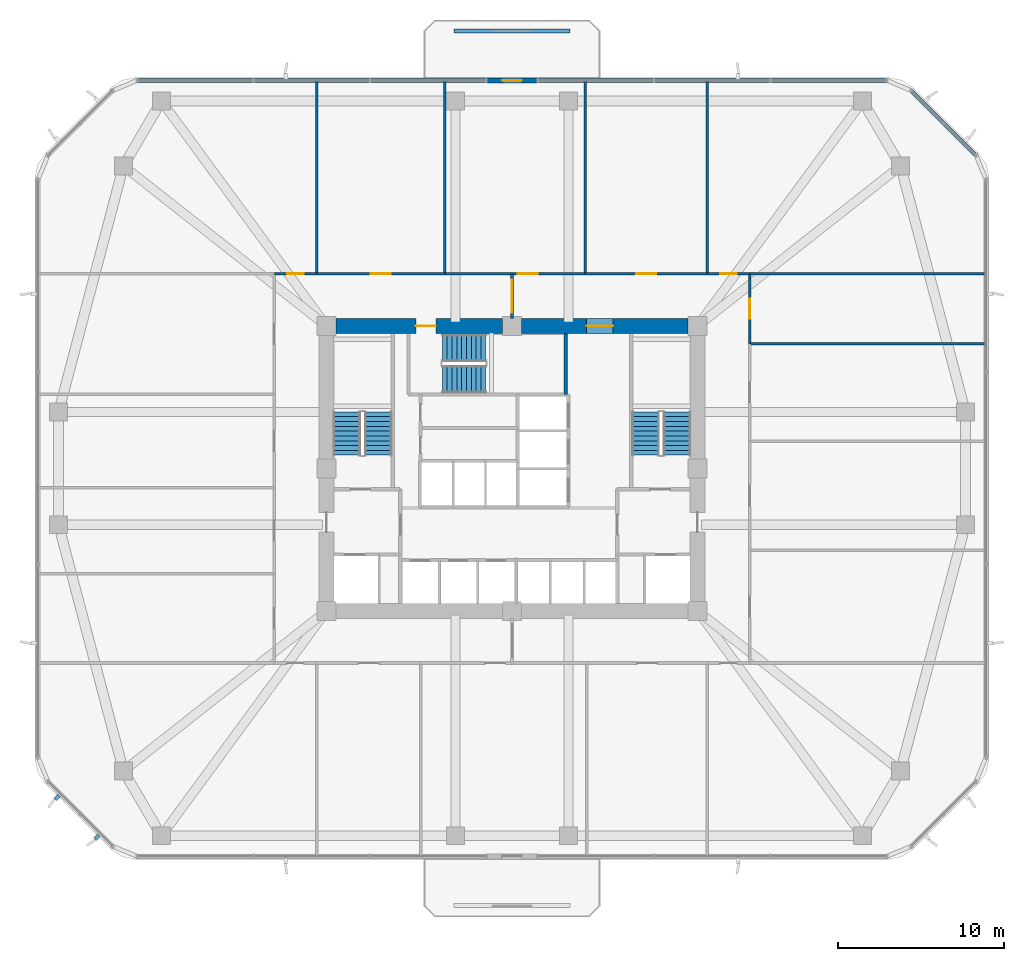
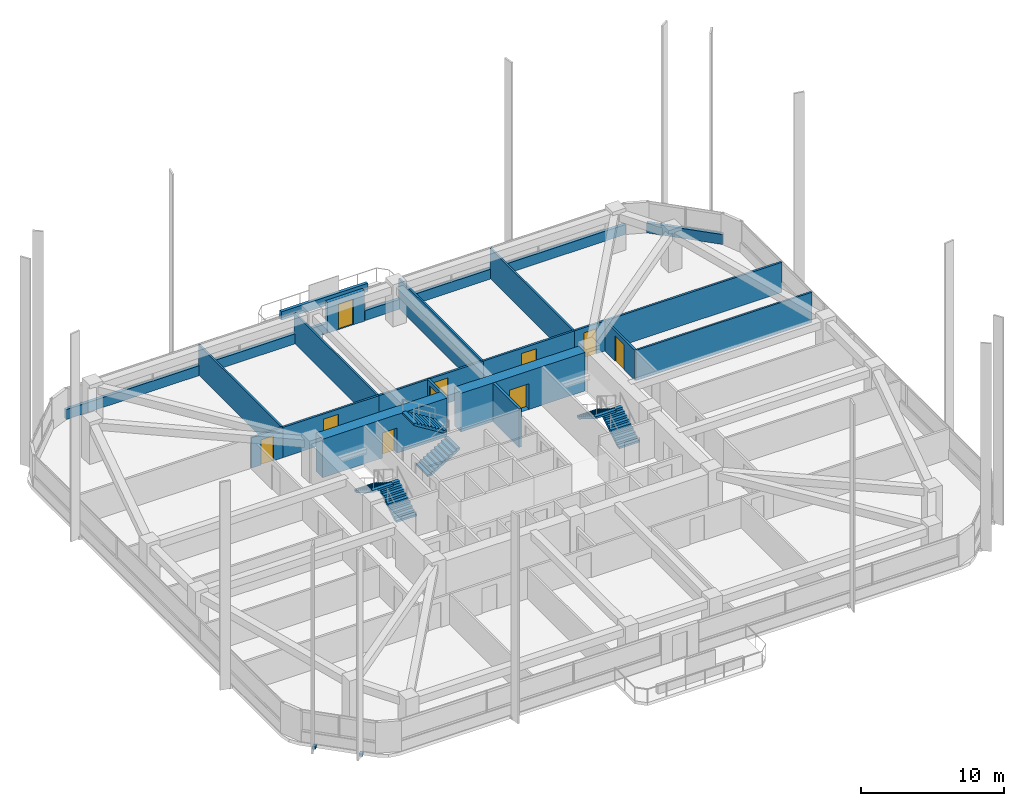
# One storey, part 11 of 17: 21 walls, 10 doors, 6 stair flights, 2 discrete accessories, 10 openings, 3 elements without a shape of their own.
"""IFC4 building model written with IfcOpenShell, lengths in metres."""

from ifc_helpers import new_model, si_unit, derived_unit, direction, frame, frame_2d, origin, origin_2d, place, context, subcontext, project, spatial, polyline, rectangle, outline, extrude, material, layer, layer_set, type_object, element, fill, aggregate, save


model = new_model("IFC4")

# Units and contexts
model_context = context("Model", 3, precision=1e-05, world=origin(), true_north=direction((0.0, 1.0)))
body_context = subcontext(model_context, "Body", "Model", "MODEL_VIEW")
ifc_project = project(units=[si_unit("LENGTHUNIT", "METRE"), si_unit("AREAUNIT", "SQUARE_METRE"), si_unit("VOLUMEUNIT", "CUBIC_METRE"), si_unit("PLANEANGLEUNIT", "RADIAN"), si_unit("MASSUNIT", "GRAM", prefix="KILO"), derived_unit("THERMALTRANSMITTANCEUNIT", [(si_unit("POWERUNIT", "WATT"), 1), (si_unit("LENGTHUNIT", "METRE"), -2), (si_unit("THERMODYNAMICTEMPERATUREUNIT", "KELVIN"), -1)])], contexts=[model_context])

# Site, building, storey
site_placement = place(None, origin())
site = spatial("IfcSite", under=ifc_project, at=site_placement, CompositionType="ELEMENT")
building_placement = place(site_placement, origin())
building = spatial("IfcBuilding", under=site, at=building_placement, Name="Koralith Skygarden Medical Center", CompositionType="ELEMENT")
storey_placement = place(building_placement, frame((0.0, 0.0, 67.139892578125)))
storey = spatial("IfcBuildingStorey", under=building, at=storey_placement, Name="L17", CompositionType="ELEMENT", Elevation=67.139892578125)

# Walls
ifc_material_1 = material(Name="Gypsum Board Partition")
ifc_layer_1 = layer(ifc_material_1, 0.14990234375)
ifc_layer_set_1 = layer_set([ifc_layer_1], Name="Gypsum Board Partition")
wall_type_1 = type_object("IfcWallType", Name="Clinical Acoustic Partition 150", PredefinedType="PARTITIONING", material=ifc_layer_set_1)
for number, where, z_axis, x_axis, name in (
    (1, (25.199951171875, 37.64990234375, 0.0), (0.0, 0.0, 1.0), (0.0, 1.0, 0.0), "L17 Clinical Acoustic Partition 150 W-PART-L17-N-01"),
    (2, (32.950927734375, 37.64990234375, 0.0), (0.0, 0.0, 1.0), (0.0, 1.0, 0.0), "L17 Clinical Acoustic Partition 150 W-PART-L17-N-02"),
    (3, (41.4130859375, 37.64990234375, 0.0), (0.0, 0.0, 1.0), (0.0, 1.0, 0.0), "L17 Clinical Acoustic Partition 150 W-PART-L17-N-03"),
    (4, (48.800048828125, 37.64990234375, 0.0), (0.0, 0.0, 1.0), (0.0, 1.0, 0.0), "L17 Clinical Acoustic Partition 150 W-PART-L17-N-04"),
):
    element("IfcWall", number, at=place(storey_placement, frame(where, z_axis=z_axis, x_axis=x_axis)), inside=storey, type_object=wall_type_1, Name=name, PredefinedType="PARTITIONING", context=body_context, shape_type="SweptSolid", body=[
        extrude(rectangle(XDim=11.650146484375, YDim=0.14990234375, at=frame_2d((5.8251953125, 0.0))), origin(), (0.0, 0.0, 1.0), 2.590087890625),
    ])
wall_1_placement = place(storey_placement, frame((51.35009765625, 33.419921875, 0.0), z_axis=(0.0, 0.0, 1.0), x_axis=(1.0, 0.0, 0.0)))
element("IfcWall", 5, at=wall_1_placement, inside=storey, type_object=wall_type_1, Name="L17 Clinical Acoustic Partition 150 W-PART-L17-E-03", PredefinedType="PARTITIONING", context=body_context, shape_type="SweptSolid", body=[
    extrude(rectangle(XDim=14.25, YDim=0.14990234375, at=frame_2d((7.125, 0.0))), origin(), (0.0, 0.0, 1.0), 2.590087890625),
])
ifc_layer_2 = layer(ifc_material_1, 0.1650390625)
ifc_layer_set_2 = layer_set([ifc_layer_2], Name="Gypsum Board Partition")
wall_type_2 = type_object("IfcWallType", Name="Clinical Corridor Partition 165", PredefinedType="PARTITIONING", material=ifc_layer_set_2)
wall_2_placement = place(storey_placement, frame((51.35009765625, 37.64990234375, 0.0), z_axis=(0.0, 0.0, 1.0), x_axis=(1.0, 0.0, 0.0)))
element("IfcWall", 6, at=wall_2_placement, inside=storey, type_object=wall_type_2, Name="L17 Clinical Corridor Partition 165 W-WB-L17-NE", PredefinedType="PARTITIONING", context=body_context, shape_type="SweptSolid", body=[
    extrude(rectangle(XDim=14.25, YDim=0.1650390625, at=frame_2d((7.125, 0.0))), origin(), (0.0, 0.0, 1.0), 2.590087890625),
])

# Wall, opening, door
wall_3_placement = place(storey_placement, frame((22.64990234375, 37.64990234375, 0.0), z_axis=(0.0, 0.0, 1.0), x_axis=(1.0, 0.0, 0.0)))
wall_3 = element("IfcWall", 7, at=wall_3_placement, inside=storey, type_object=wall_type_2, Name="L17 Clinical Corridor Partition 165 W-CORR-L17-N-01", PredefinedType="PARTITIONING", context=body_context, shape_type="SweptSolid", body=[
    extrude(rectangle(XDim=2.550048828125, YDim=0.1650390625, at=frame_2d((1.27490234375, 0.0))), origin(), (0.0, 0.0, 1.0), 2.590087890625),
])
opening_1_placement = place(wall_3_placement, frame((0.77490234375, 0.0, 0.0)))
opening_1 = element("IfcOpeningElement", 8, at=opening_1_placement, cuts=wall_3, Name="Opening D-SUP", PredefinedType="OPENING", context=body_context, shape_type="SweptSolid", body=[
    extrude(rectangle(XDim=1.0, YDim=2.14990234375, at=frame_2d((0.5, 1.074951171875))), frame((0.0, 0.092529296875, 0.0), z_axis=(0.0, -1.0, 0.0), x_axis=(1.0, 0.0, 0.0)), (0.0, 0.0, 1.0), 0.18505859375),
])
ifc_material_2 = material(Name="Aluminium 6063-T6", Category="aluminium")
door_type_1 = type_object("IfcDoorType", Name="Clinical Support Door D-SUP 1000", OperationType="NOTDEFINED", PredefinedType="DOOR", material=ifc_material_2)
door_1_placement = place(opening_1_placement, origin())
door_1 = element("IfcDoor", 9, at=door_1_placement, inside=storey, type_object=door_type_1, Name="L17 Neurology Consultation Office 01 Door", OperationType="SINGLE_SWING_RIGHT", OverallHeight=2.14990234375, OverallWidth=1.0, PredefinedType="DOOR", context=body_context, shape_type="SweptSolid", body=[
    extrude(rectangle(XDim=1.0, YDim=2.14990234375, at=frame_2d((0.5, 1.074951171875))), frame((0.0, 0.02490234375, 0.0), z_axis=(0.0, -1.0, 0.0), x_axis=(1.0, 0.0, 0.0)), (0.0, 0.0, 1.0), 0.050048828125),
])
fill(opening_1, door_1)

wall_4_placement = place(storey_placement, frame((25.199951171875, 37.64990234375, 0.0), z_axis=(0.0, 0.0, 1.0), x_axis=(1.0, 0.0, 0.0)))
wall_4 = element("IfcWall", 10, at=wall_4_placement, inside=storey, type_object=wall_type_2, Name="L17 Clinical Corridor Partition 165 W-CORR-L17-N-02", PredefinedType="PARTITIONING", context=body_context, shape_type="SweptSolid", body=[
    extrude(rectangle(XDim=7.7509765625, YDim=0.1650390625, at=frame_2d((3.87548828125, 0.0))), origin(), (0.0, 0.0, 1.0), 2.590087890625),
])
opening_2_placement = place(wall_4_placement, frame((3.27587890625, 0.0, 0.0)))
opening_2 = element("IfcOpeningElement", 11, at=opening_2_placement, cuts=wall_4, Name="Opening D-CLN", PredefinedType="OPENING", context=body_context, shape_type="SweptSolid", body=[
    extrude(rectangle(XDim=1.199951171875, YDim=2.14990234375, at=frame_2d((0.60009765625, 1.074951171875))), frame((0.0, 0.092529296875, 0.0), z_axis=(0.0, -1.0, 0.0), x_axis=(1.0, 0.0, 0.0)), (0.0, 0.0, 1.0), 0.18505859375),
])
door_type_2 = type_object("IfcDoorType", Name="Clinical Corridor Door D-CLN 1200", OperationType="NOTDEFINED", PredefinedType="DOOR", material=ifc_material_2)
door_2_placement = place(opening_2_placement, origin())
door_2 = element("IfcDoor", 12, at=door_2_placement, inside=storey, type_object=door_type_2, Name="L17 Electromyography Reading Office 02 Door", OperationType="SINGLE_SWING_LEFT", OverallHeight=2.14990234375, OverallWidth=1.199951171875, PredefinedType="DOOR", context=body_context, shape_type="SweptSolid", body=[
    extrude(rectangle(XDim=1.199951171875, YDim=2.14990234375, at=frame_2d((0.60009765625, 1.074951171875))), frame((0.0, 0.02490234375, 0.0), z_axis=(0.0, -1.0, 0.0), x_axis=(1.0, 0.0, 0.0)), (0.0, 0.0, 1.0), 0.050048828125),
])
fill(opening_2, door_2)

wall_5_placement = place(storey_placement, frame((32.950927734375, 37.64990234375, 0.0), z_axis=(0.0, 0.0, 1.0), x_axis=(1.0, 0.0, 0.0)))
wall_5 = element("IfcWall", 13, at=wall_5_placement, inside=storey, type_object=wall_type_2, Name="L17 Clinical Corridor Partition 165 W-CORR-L17-N-03", PredefinedType="PARTITIONING", context=body_context, shape_type="SweptSolid", body=[
    extrude(rectangle(XDim=8.462158203125, YDim=0.1650390625, at=frame_2d((4.23095703125, 0.0))), origin(), (0.0, 0.0, 1.0), 2.590087890625),
])
opening_3_placement = place(wall_5_placement, frame((4.389892578125, 0.0, 0.0)))
opening_3 = element("IfcOpeningElement", 14, at=opening_3_placement, cuts=wall_5, Name="Opening D-CLN", PredefinedType="OPENING", context=body_context, shape_type="SweptSolid", body=[
    extrude(rectangle(XDim=1.199951171875, YDim=2.14990234375, at=frame_2d((0.60009765625, 1.074951171875))), frame((0.0, 0.092529296875, 0.0), z_axis=(0.0, -1.0, 0.0), x_axis=(1.0, 0.0, 0.0)), (0.0, 0.0, 1.0), 0.18505859375),
])
door_3_placement = place(opening_3_placement, origin())
door_3 = element("IfcDoor", 15, at=door_3_placement, inside=storey, type_object=door_type_2, Name="L17 Patient and Family Sky-Garden Day Lounge 03 Door", OperationType="SINGLE_SWING_RIGHT", OverallHeight=2.14990234375, OverallWidth=1.199951171875, PredefinedType="DOOR", context=body_context, shape_type="SweptSolid", body=[
    extrude(rectangle(XDim=1.199951171875, YDim=2.14990234375, at=frame_2d((0.60009765625, 1.074951171875))), frame((0.0, 0.02490234375, 0.0), z_axis=(0.0, -1.0, 0.0), x_axis=(1.0, 0.0, 0.0)), (0.0, 0.0, 1.0), 0.050048828125),
])
fill(opening_3, door_3)

wall_6_placement = place(storey_placement, frame((41.4130859375, 37.64990234375, 0.0), z_axis=(0.0, 0.0, 1.0), x_axis=(1.0, 0.0, 0.0)))
wall_6 = element("IfcWall", 16, at=wall_6_placement, inside=storey, type_object=wall_type_2, Name="L17 Clinical Corridor Partition 165 W-CORR-L17-N-04", PredefinedType="PARTITIONING", context=body_context, shape_type="SweptSolid", body=[
    extrude(rectangle(XDim=7.386962890625, YDim=0.1650390625, at=frame_2d((3.693359375, 0.0))), origin(), (0.0, 0.0, 1.0), 2.590087890625),
])
opening_4_placement = place(wall_6_placement, frame((3.093994140625, 0.0, 0.0)))
opening_4 = element("IfcOpeningElement", 17, at=opening_4_placement, cuts=wall_6, Name="Opening D-CLN", PredefinedType="OPENING", context=body_context, shape_type="SweptSolid", body=[
    extrude(rectangle(XDim=1.199951171875, YDim=2.14990234375, at=frame_2d((0.60009765625, 1.074951171875))), frame((0.0, 0.092529296875, 0.0), z_axis=(0.0, -1.0, 0.0), x_axis=(1.0, 0.0, 0.0)), (0.0, 0.0, 1.0), 0.18505859375),
])
door_4_placement = place(opening_4_placement, origin())
door_4 = element("IfcDoor", 18, at=door_4_placement, inside=storey, type_object=door_type_2, Name="L17 Neuropsychology Testing Office 04 Door", OperationType="SINGLE_SWING_LEFT", OverallHeight=2.14990234375, OverallWidth=1.199951171875, PredefinedType="DOOR", context=body_context, shape_type="SweptSolid", body=[
    extrude(rectangle(XDim=1.199951171875, YDim=2.14990234375, at=frame_2d((0.60009765625, 1.074951171875))), frame((0.0, 0.02490234375, 0.0), z_axis=(0.0, -1.0, 0.0), x_axis=(1.0, 0.0, 0.0)), (0.0, 0.0, 1.0), 0.050048828125),
])
fill(opening_4, door_4)

wall_7_placement = place(storey_placement, frame((48.800048828125, 37.64990234375, 0.0), z_axis=(0.0, 0.0, 1.0), x_axis=(1.0, 0.0, 0.0)))
wall_7 = element("IfcWall", 19, at=wall_7_placement, inside=storey, type_object=wall_type_2, Name="L17 Clinical Corridor Partition 165 W-CORR-L17-N-05", PredefinedType="PARTITIONING", context=body_context, shape_type="SweptSolid", body=[
    extrude(rectangle(XDim=2.550048828125, YDim=0.1650390625, at=frame_2d((1.27490234375, 0.0))), origin(), (0.0, 0.0, 1.0), 2.590087890625),
])
opening_5_placement = place(wall_7_placement, frame((0.77490234375, 0.0, 0.0)))
opening_5 = element("IfcOpeningElement", 20, at=opening_5_placement, cuts=wall_7, Name="Opening D-SUP", PredefinedType="OPENING", context=body_context, shape_type="SweptSolid", body=[
    extrude(rectangle(XDim=1.0, YDim=2.14990234375, at=frame_2d((0.5, 1.074951171875))), frame((0.0, 0.092529296875, 0.0), z_axis=(0.0, -1.0, 0.0), x_axis=(1.0, 0.0, 0.0)), (0.0, 0.0, 1.0), 0.18505859375),
])
door_5_placement = place(opening_5_placement, origin())
door_5 = element("IfcDoor", 21, at=door_5_placement, inside=storey, type_object=door_type_1, Name="L17 Medical Device Alcove Store 05 Door", OperationType="SINGLE_SWING_RIGHT", OverallHeight=2.14990234375, OverallWidth=1.0, PredefinedType="DOOR", context=body_context, shape_type="SweptSolid", body=[
    extrude(rectangle(XDim=1.0, YDim=2.14990234375, at=frame_2d((0.5, 1.074951171875))), frame((0.0, 0.02490234375, 0.0), z_axis=(0.0, -1.0, 0.0), x_axis=(1.0, 0.0, 0.0)), (0.0, 0.0, 1.0), 0.050048828125),
])
fill(opening_5, door_5)

wall_8_placement = place(storey_placement, frame((51.35009765625, 33.419921875, 0.0), z_axis=(0.0, 0.0, 1.0), x_axis=(0.0, 1.0, 0.0)))
wall_8 = element("IfcWall", 22, at=wall_8_placement, inside=storey, type_object=wall_type_2, Name="L17 Clinical Corridor Partition 165 W-CORR-L17-E-04", PredefinedType="PARTITIONING", context=body_context, shape_type="SweptSolid", body=[
    extrude(rectangle(XDim=4.22998046875, YDim=0.1650390625, at=frame_2d((2.114990234375, 0.0))), origin(), (0.0, 0.0, 1.0), 2.590087890625),
])
opening_6_placement = place(wall_8_placement, frame((1.514892578125, 0.0, 0.0)))
opening_6 = element("IfcOpeningElement", 23, at=opening_6_placement, cuts=wall_8, Name="Opening D-CLN", PredefinedType="OPENING", context=body_context, shape_type="SweptSolid", body=[
    extrude(rectangle(XDim=1.199951171875, YDim=2.14990234375, at=frame_2d((0.60009765625, 1.074951171875))), frame((0.0, 0.092529296875, 0.0), z_axis=(0.0, -1.0, 0.0), x_axis=(1.0, 0.0, 0.0)), (0.0, 0.0, 1.0), 0.18505859375),
])
door_6_placement = place(opening_6_placement, origin())
door_6 = element("IfcDoor", 24, at=door_6_placement, inside=storey, type_object=door_type_2, Name="L17 Medical Device Alcove Store 18 Door", OperationType="SINGLE_SWING_LEFT", OverallHeight=2.14990234375, OverallWidth=1.199951171875, PredefinedType="DOOR", context=body_context, shape_type="SweptSolid", body=[
    extrude(rectangle(XDim=1.199951171875, YDim=2.14990234375, at=frame_2d((0.60009765625, 1.074951171875))), frame((0.0, 0.02490234375, 0.0), z_axis=(0.0, -1.0, 0.0), x_axis=(1.0, 0.0, 0.0)), (0.0, 0.0, 1.0), 0.050048828125),
])
fill(opening_6, door_6)

ifc_layer_3 = layer(ifc_material_1, 0.179931640625)
ifc_layer_set_3 = layer_set([ifc_layer_3], Name="Gypsum Board Partition")
wall_type_3 = type_object("IfcWallType", Name="Group I-2 Smoke Barrier Wall 180", PredefinedType="PARTITIONING", material=ifc_layer_set_3)
wall_9_placement = place(storey_placement, frame((37.0, 34.949951171875, 0.0), z_axis=(0.0, 0.0, 1.0), x_axis=(0.0, 1.0, 0.0)))
wall_9 = element("IfcWall", 25, at=wall_9_placement, inside=storey, type_object=wall_type_3, Name="L17 Group I-2 Smoke Barrier Wall 180 W-SMK-L17-N", PredefinedType="PARTITIONING", context=body_context, shape_type="SweptSolid", body=[
    extrude(rectangle(XDim=2.699951171875, YDim=0.179931640625, at=frame_2d((1.35009765625, 0.0))), origin(), (0.0, 0.0, 1.0), 2.590087890625),
])
opening_7_placement = place(wall_9_placement, frame((0.35009765625, 0.0, 0.0)))
opening_7 = element("IfcOpeningElement", 26, at=opening_7_placement, cuts=wall_9, Name="Opening D-SMK", PredefinedType="OPENING", context=body_context, shape_type="SweptSolid", body=[
    extrude(rectangle(XDim=2.0, YDim=2.199951171875, at=frame_2d((1.0, 1.10009765625))), frame((0.0, 0.099853515625, 0.0), z_axis=(0.0, -1.0, 0.0), x_axis=(1.0, 0.0, 0.0)), (0.0, 0.0, 1.0), 0.199951171875),
])
ifc_material_3 = material(Name="Steel ASTM A500 Grade C", Category="steel")
door_type_3 = type_object("IfcDoorType", Name="Cross-Corridor Double Smoke Door FD60S 2000", OperationType="NOTDEFINED", PredefinedType="DOOR", material=ifc_material_3)
door_7_placement = place(opening_7_placement, origin())
door_7 = element("IfcDoor", 27, at=door_7_placement, inside=storey, type_object=door_type_3, Name="L17 N Smoke Compartment Cross-Corridor Door", OperationType="DOUBLE_DOOR_SINGLE_SWING", OverallHeight=2.199951171875, OverallWidth=2.0, PredefinedType="DOOR", context=body_context, shape_type="SweptSolid", body=[
    extrude(rectangle(XDim=2.0, YDim=2.199951171875, at=frame_2d((1.0, 1.10009765625))), frame((0.0, 0.02490234375, 0.0), z_axis=(0.0, -1.0, 0.0), x_axis=(1.0, 0.0, 0.0)), (0.0, 0.0, 1.0), 0.050048828125),
])
fill(opening_7, door_7)

# Walls
ifc_material_4 = material(Name="Warm Oolitic Limestone Cladding", Category="masonry")
ifc_layer_4 = layer(ifc_material_4, 0.239990234375)
ifc_layer_set_4 = layer_set([ifc_layer_4], Name="Warm Oolitic Limestone Cladding")
wall_type_4 = type_object("IfcWallType", Name="Limestone Spandrel Sill Backup Wall 240", PredefinedType="SOLIDWALL", material=ifc_layer_set_4)
wall_10_placement = place(storey_placement, frame((65.01904296875, 44.7958984375, 0.0), z_axis=(0.0, 0.0, 1.0), x_axis=(-0.707106781187, 0.707106781187, 0.0)))
element("IfcWall", 28, at=wall_10_placement, inside=storey, type_object=wall_type_4, Name="L17 Sill Spandrel NE", PredefinedType="SOLIDWALL", context=body_context, shape_type="SweptSolid", body=[
    extrude(rectangle(XDim=5.548095703125, YDim=0.239990234375, at=frame_2d((2.77392578125, 0.0))), origin(), (0.0, 0.0, 1.0), 0.85009765625),
])
for number, where, z_axis, x_axis, name in (
    (29, (59.64501953125, 49.320068359375, 0.0), (0.0, 0.0, 1.0), (-1.0, 0.0, 0.0), "L17 Sill Spandrel N-L"),
    (30, (35.4599609375, 49.320068359375, 0.0), (0.0, 0.0, 1.0), (-1.0, 0.0, 0.0), "L17 Sill Spandrel N-R"),
):
    element("IfcWall", number, at=place(storey_placement, frame(where, z_axis=z_axis, x_axis=x_axis)), inside=storey, type_object=wall_type_4, Name=name, PredefinedType="SOLIDWALL", context=body_context, shape_type="SweptSolid", body=[
        extrude(rectangle(XDim=21.10498046875, YDim=0.239990234375, at=frame_2d((10.552490234375, 0.0))), origin(), (0.0, 0.0, 1.0), 0.85009765625),
    ])

# Wall, opening, door
ifc_material_5 = material(Name="Concrete C70/85", Category="concrete")
ifc_layer_5 = layer(ifc_material_5, 0.89990234375)
ifc_layer_set_5 = layer_set([ifc_layer_5], Name="Concrete C70/85")
wall_type_5 = type_object("IfcWallType", Name="Lower Core Shear Wall 900", PredefinedType="SHEAR", material=ifc_layer_set_5)
wall_11_placement = place(storey_placement, frame((47.635009765625, 34.5, 0.0), z_axis=(0.0, 0.0, 1.0), x_axis=(-1.0, 0.0, 0.0)))
wall_11 = element("IfcWall", 31, at=wall_11_placement, inside=storey, type_object=wall_type_5, Name="L17 Core Shear Wall Segment 5", PredefinedType="SHEAR", context=body_context, shape_type="SweptSolid", body=[
    extrude(rectangle(XDim=10.070068359375, YDim=0.89990234375, at=frame_2d((5.03515625, 0.0))), origin(), (0.0, 0.0, 1.0), 3.300048828125),
])
opening_8_placement = place(wall_11_placement, frame((4.534912109375, 0.0, 0.0)))
opening_8 = element("IfcOpeningElement", 32, at=opening_8_placement, cuts=wall_11, Name="Opening D-DBL", PredefinedType="OPENING", context=body_context, shape_type="SweptSolid", body=[
    extrude(rectangle(XDim=1.60009765625, YDim=2.199951171875, at=frame_2d((0.800048828125, 1.10009765625))), frame((0.0, 0.4599609375, 0.0), z_axis=(0.0, -1.0, 0.0), x_axis=(1.0, 0.0, 0.0)), (0.0, 0.0, 1.0), 0.919921875),
])
door_type_4 = type_object("IfcDoorType", Name="Double Clinical Suite Door D-DBL 1600", OperationType="NOTDEFINED", PredefinedType="DOOR", material=ifc_material_2)
door_8_placement = place(opening_8_placement, frame((1.60009765625, 0.0, 0.0), z_axis=(0.0, 0.0, 1.0), x_axis=(-1.0, 0.0, 0.0)))
door_8 = element("IfcDoor", 33, at=door_8_placement, inside=storey, type_object=door_type_4, Name="L17 North-East Corridor to Elevator Lobby Door", OperationType="DOUBLE_DOOR_SINGLE_SWING", OverallHeight=2.199951171875, OverallWidth=1.60009765625, PredefinedType="DOOR", context=body_context, shape_type="SweptSolid", body=[
    extrude(rectangle(XDim=1.60009765625, YDim=2.199951171875, at=frame_2d((0.800048828125, 1.10009765625))), frame((0.0, 0.02490234375, 0.0), z_axis=(0.0, -1.0, 0.0), x_axis=(1.0, 0.0, 0.0)), (0.0, 0.0, 1.0), 0.050048828125),
])
fill(opening_8, door_8)

wall_12_placement = place(storey_placement, frame((36.43505859375, 34.5, 0.0), z_axis=(0.0, 0.0, 1.0), x_axis=(-1.0, 0.0, 0.0)))
wall_12 = element("IfcWall", 34, at=wall_12_placement, inside=storey, type_object=wall_type_5, Name="L17 Core Shear Wall Segment 6", PredefinedType="SHEAR", context=body_context, shape_type="SweptSolid", body=[
    extrude(rectangle(XDim=10.070068359375, YDim=0.89990234375, at=frame_2d((5.03515625, 0.0))), origin(), (0.0, 0.0, 1.0), 3.300048828125),
])
opening_9_placement = place(wall_12_placement, frame((4.034912109375, 0.0, 0.0)))
opening_9 = element("IfcOpeningElement", 35, at=opening_9_placement, cuts=wall_12, Name="Opening D-ST60", PredefinedType="OPENING", context=body_context, shape_type="SweptSolid", body=[
    extrude(rectangle(XDim=1.199951171875, YDim=2.14990234375, at=frame_2d((0.60009765625, 1.074951171875))), frame((0.0, 0.4599609375, 0.0), z_axis=(0.0, -1.0, 0.0), x_axis=(1.0, 0.0, 0.0)), (0.0, 0.0, 1.0), 0.919921875),
])
door_type_5 = type_object("IfcDoorType", Name="Smokeproof Stair Fire Door FD60S 1200", OperationType="NOTDEFINED", PredefinedType="DOOR", material=ifc_material_3)
door_9_placement = place(opening_9_placement, frame((1.199951171875, 0.0, 0.0), z_axis=(0.0, 0.0, 1.0), x_axis=(-1.0, 0.0, 0.0)))
door_9 = element("IfcDoor", 36, at=door_9_placement, inside=storey, type_object=door_type_5, Name="L17 Exit Stair ST3 Fire Door", OperationType="SINGLE_SWING_LEFT", OverallHeight=2.14990234375, OverallWidth=1.199951171875, PredefinedType="DOOR", context=body_context, shape_type="SweptSolid", body=[
    extrude(rectangle(XDim=1.199951171875, YDim=2.14990234375, at=frame_2d((0.60009765625, 1.074951171875))), frame((0.0, 0.02490234375, 0.0), z_axis=(0.0, -1.0, 0.0), x_axis=(1.0, 0.0, 0.0)), (0.0, 0.0, 1.0), 0.050048828125),
])
fill(opening_9, door_9)

ifc_layer_6 = layer(ifc_material_4, 0.300048828125)
ifc_layer_set_6 = layer_set([ifc_layer_6], Name="Warm Oolitic Limestone Cladding")
wall_type_6 = type_object("IfcWallType", Name="Oolitic Limestone Insulated Facade Wall 300", PredefinedType="SOLIDWALL", material=ifc_layer_set_6)
wall_13_placement = place(storey_placement, frame((38.5, 49.320068359375, 0.0), z_axis=(0.0, 0.0, 1.0), x_axis=(-1.0, 0.0, 0.0)))
wall_13 = element("IfcWall", 37, at=wall_13_placement, inside=storey, type_object=wall_type_6, Name="L17 Terrace Portal Wall N", PredefinedType="SOLIDWALL", context=body_context, shape_type="SweptSolid", body=[
    extrude(rectangle(XDim=3.0, YDim=0.300048828125, at=frame_2d((1.5, 0.0))), origin(), (0.0, 0.0, 1.0), 2.630126953125),
])
opening_10_placement = place(wall_13_placement, frame((0.89990234375, 0.0, 0.0)))
opening_10 = element("IfcOpeningElement", 38, at=opening_10_placement, cuts=wall_13, Name="Opening D-BAL", PredefinedType="OPENING", context=body_context, shape_type="SweptSolid", body=[
    extrude(rectangle(XDim=1.199951171875, YDim=2.199951171875, at=frame_2d((0.60009765625, 1.10009765625))), frame((0.0, 0.159912109375, 0.0), z_axis=(0.0, -1.0, 0.0), x_axis=(1.0, 0.0, 0.0)), (0.0, 0.0, 1.0), 0.320068359375),
])
door_type_6 = type_object("IfcDoorType", Name="Planted Balcony Glazed Terrace Door D-BAL 1200", OperationType="NOTDEFINED", PredefinedType="DOOR", material=ifc_material_2)
door_10_placement = place(opening_10_placement, origin())
door_10 = element("IfcDoor", 39, at=door_10_placement, inside=storey, type_object=door_type_6, Name="L17 N Outdoor Terrace Access Door", OperationType="SINGLE_SWING_RIGHT", OverallHeight=2.199951171875, OverallWidth=1.199951171875, PredefinedType="DOOR", context=body_context, shape_type="SweptSolid", body=[
    extrude(rectangle(XDim=1.199951171875, YDim=2.199951171875, at=frame_2d((0.60009765625, 1.10009765625))), frame((0.0, 0.02490234375, 0.0), z_axis=(0.0, -1.0, 0.0), x_axis=(1.0, 0.0, 0.0)), (0.0, 0.0, 1.0), 0.050048828125),
])
fill(opening_10, door_10)

# Walls
ifc_material_6 = material(Name="Precast concrete C40/50", Category="concrete")
ifc_layer_7 = layer(ifc_material_6, 0.25)
ifc_layer_set_7 = layer_set([ifc_layer_7], Name="Precast concrete C40/50")
wall_type_7 = type_object("IfcWallType", Name="Structural Concrete Balcony Planter Kerb 250", PredefinedType="PARAPET", material=ifc_layer_set_7)
wall_14_placement = place(storey_placement, frame((33.5, 52.300048828125, 0.0), z_axis=(0.0, 0.0, 1.0), x_axis=(1.0, 0.0, 0.0)))
element("IfcWall", 40, at=wall_14_placement, inside=storey, type_object=wall_type_7, Name="L17 N Structural Tree PLANTER Box", PredefinedType="PARAPET", context=body_context, shape_type="SweptSolid", body=[
    extrude(rectangle(XDim=7.0, YDim=0.25, at=frame_2d((3.5, 0.0))), origin(), (0.0, 0.0, 1.0), 0.72021484375),
])
ifc_material_7 = material(Name="Concrete C45/55", Category="concrete")
ifc_layer_8 = layer(ifc_material_7, 0.199951171875)
ifc_layer_set_8 = layer_set([ifc_layer_8], Name="Concrete C45/55")
wall_type_8 = type_object("IfcWallType", Name="Structural Stair Shaft Wall 200", PredefinedType="SHEAR", material=ifc_layer_set_8)
wall_15_placement = place(storey_placement, frame((40.25, 30.360107421875, 0.0), z_axis=(0.0, 0.0, 1.0), x_axis=(0.0, 1.0, 0.0)))
element("IfcWall", 41, at=wall_15_placement, inside=storey, type_object=wall_type_8, Name="L17 Structural Stair Shaft Wall 200 W-CORE-L17-ST3-E", PredefinedType="SHEAR", context=body_context, shape_type="SweptSolid", body=[
    extrude(rectangle(XDim=3.68994140625, YDim=0.199951171875, at=frame_2d((1.844970703125, 0.0))), origin(), (0.0, 0.0, 1.0), 3.300048828125),
])

# Stair, stair flights
stair_type = type_object("IfcStairType", Name="Core Exit Dogleg Concrete Stair", PredefinedType="HALF_TURN_STAIR", material=ifc_material_7)
stair_1_placement = place(storey_placement, origin())
stair_1 = element("IfcStair", 42, at=stair_1_placement, inside=storey, type_object=stair_type, Name="L17 Smokeproof Exit Stair ST1", PredefinedType="HALF_TURN_STAIR")
stair_flight_type = type_object("IfcStairFlightType", Name="Core Exit Concrete Stair Flight 1650", PredefinedType="STRAIGHT", material=ifc_material_7)
stair_flight_1_placement = place(storey_placement, frame((28.925048828125, 26.699951171875, 0.0), z_axis=(0.0, 0.0, 1.0), x_axis=(0.0, 1.0, 0.0)))
stair_flight_1 = element("IfcStairFlight", 43, at=stair_flight_1_placement, type_object=stair_flight_type, Name="ST1 flight 1", NumberOfRisers=10, NumberOfTreads=9, PredefinedType="STRAIGHT", RiserHeight=0.18, TreadLength=0.29, context=body_context, shape_type="SweptSolid", body=[
    extrude(outline(polyline([(0.0, 0.0), (0.0, 0.179931640625), (0.2900390625, 0.179931640625), (0.2900390625, 0.360107421875), (0.580078125, 0.360107421875), (0.580078125, 0.5400390625), (0.8701171875, 0.5400390625), (0.8701171875, 0.719970703125), (1.159912109375, 0.719970703125), (1.159912109375, 0.89990234375), (1.449951171875, 0.89990234375), (1.449951171875, 1.080078125), (1.739990234375, 1.080078125), (1.739990234375, 1.260009765625), (2.030029296875, 1.260009765625), (2.030029296875, 1.43994140625), (2.320068359375, 1.43994140625), (2.320068359375, 1.6201171875), (2.610107421875, 1.6201171875), (2.610107421875, 1.800048828125), (2.610107421875, 1.443603515625), (0.2841796875, 0.0), (0.0, 0.0)])), frame((0.0, 0.824951171875, 0.0), z_axis=(0.0, -1.0, 0.0), x_axis=(1.0, 0.0, 0.0)), (0.0, 0.0, 1.0), 1.64990234375),
])
stair_flight_2_placement = place(storey_placement, frame((27.02490234375, 29.31005859375, 1.800048828125), z_axis=(0.0, 0.0, 1.0), x_axis=(0.0, -1.0, 0.0)))
stair_flight_2 = element("IfcStairFlight", 44, at=stair_flight_2_placement, type_object=stair_flight_type, Name="ST1 flight 2", NumberOfRisers=10, NumberOfTreads=9, PredefinedType="STRAIGHT", RiserHeight=0.18, TreadLength=0.29, context=body_context, shape_type="SweptSolid", body=[
    extrude(outline(polyline([(0.0, 0.0), (0.0, 0.179931640625), (0.2900390625, 0.179931640625), (0.2900390625, 0.360107421875), (0.580078125, 0.360107421875), (0.580078125, 0.5400390625), (0.8701171875, 0.5400390625), (0.8701171875, 0.719970703125), (1.159912109375, 0.719970703125), (1.159912109375, 0.89990234375), (1.449951171875, 0.89990234375), (1.449951171875, 1.080078125), (1.739990234375, 1.080078125), (1.739990234375, 1.260009765625), (2.030029296875, 1.260009765625), (2.030029296875, 1.43994140625), (2.320068359375, 1.43994140625), (2.320068359375, 1.6201171875), (2.610107421875, 1.6201171875), (2.610107421875, 1.800048828125), (2.610107421875, 1.443603515625), (0.2841796875, 0.0), (0.0, 0.0)])), frame((0.0, 0.824951171875, 0.0), z_axis=(0.0, -1.0, 0.0), x_axis=(1.0, 0.0, 0.0)), (0.0, 0.0, 1.0), 1.64990234375),
])
aggregate(stair_1, [stair_flight_1, stair_flight_2])

stair_2_placement = place(storey_placement, origin())
stair_2 = element("IfcStair", 45, at=stair_2_placement, inside=storey, type_object=stair_type, Name="L17 Smokeproof Exit Stair ST2", PredefinedType="HALF_TURN_STAIR")
stair_flight_3_placement = place(storey_placement, frame((46.97509765625, 26.699951171875, 0.0), z_axis=(0.0, 0.0, 1.0), x_axis=(0.0, 1.0, 0.0)))
stair_flight_3 = element("IfcStairFlight", 46, at=stair_flight_3_placement, type_object=stair_flight_type, Name="ST2 flight 1", NumberOfRisers=10, NumberOfTreads=9, PredefinedType="STRAIGHT", RiserHeight=0.18, TreadLength=0.29, context=body_context, shape_type="SweptSolid", body=[
    extrude(outline(polyline([(0.0, 0.0), (0.0, 0.179931640625), (0.2900390625, 0.179931640625), (0.2900390625, 0.360107421875), (0.580078125, 0.360107421875), (0.580078125, 0.5400390625), (0.8701171875, 0.5400390625), (0.8701171875, 0.719970703125), (1.159912109375, 0.719970703125), (1.159912109375, 0.89990234375), (1.449951171875, 0.89990234375), (1.449951171875, 1.080078125), (1.739990234375, 1.080078125), (1.739990234375, 1.260009765625), (2.030029296875, 1.260009765625), (2.030029296875, 1.43994140625), (2.320068359375, 1.43994140625), (2.320068359375, 1.6201171875), (2.610107421875, 1.6201171875), (2.610107421875, 1.800048828125), (2.610107421875, 1.443603515625), (0.2841796875, 0.0), (0.0, 0.0)])), frame((0.0, 0.824951171875, 0.0), z_axis=(0.0, -1.0, 0.0), x_axis=(1.0, 0.0, 0.0)), (0.0, 0.0, 1.0), 1.64990234375),
])
stair_flight_4_placement = place(storey_placement, frame((45.074951171875, 29.31005859375, 1.800048828125), z_axis=(0.0, 0.0, 1.0), x_axis=(0.0, -1.0, 0.0)))
stair_flight_4 = element("IfcStairFlight", 47, at=stair_flight_4_placement, type_object=stair_flight_type, Name="ST2 flight 2", NumberOfRisers=10, NumberOfTreads=9, PredefinedType="STRAIGHT", RiserHeight=0.18, TreadLength=0.29, context=body_context, shape_type="SweptSolid", body=[
    extrude(outline(polyline([(0.0, 0.0), (0.0, 0.179931640625), (0.2900390625, 0.179931640625), (0.2900390625, 0.360107421875), (0.580078125, 0.360107421875), (0.580078125, 0.5400390625), (0.8701171875, 0.5400390625), (0.8701171875, 0.719970703125), (1.159912109375, 0.719970703125), (1.159912109375, 0.89990234375), (1.449951171875, 0.89990234375), (1.449951171875, 1.080078125), (1.739990234375, 1.080078125), (1.739990234375, 1.260009765625), (2.030029296875, 1.260009765625), (2.030029296875, 1.43994140625), (2.320068359375, 1.43994140625), (2.320068359375, 1.6201171875), (2.610107421875, 1.6201171875), (2.610107421875, 1.800048828125), (2.610107421875, 1.443603515625), (0.2841796875, 0.0), (0.0, 0.0)])), frame((0.0, 0.824951171875, 0.0), z_axis=(0.0, -1.0, 0.0), x_axis=(1.0, 0.0, 0.0)), (0.0, 0.0, 1.0), 1.64990234375),
])
aggregate(stair_2, [stair_flight_3, stair_flight_4])

stair_3_placement = place(storey_placement, origin())
stair_3 = element("IfcStair", 48, at=stair_3_placement, inside=storey, type_object=stair_type, Name="L17 Smokeproof Exit Stair ST3", PredefinedType="HALF_TURN_STAIR")
stair_flight_5_placement = place(storey_placement, frame((32.800048828125, 31.27490234375, 0.0), z_axis=(0.0, 0.0, 1.0), x_axis=(1.0, 0.0, 0.0)))
stair_flight_5 = element("IfcStairFlight", 49, at=stair_flight_5_placement, type_object=stair_flight_type, Name="ST3 flight 1", NumberOfRisers=10, NumberOfTreads=9, PredefinedType="STRAIGHT", RiserHeight=0.18, TreadLength=0.29, context=body_context, shape_type="SweptSolid", body=[
    extrude(outline(polyline([(0.0, 0.0), (0.0, 0.179931640625), (0.2900390625, 0.179931640625), (0.2900390625, 0.360107421875), (0.580078125, 0.360107421875), (0.580078125, 0.5400390625), (0.8701171875, 0.5400390625), (0.8701171875, 0.719970703125), (1.159912109375, 0.719970703125), (1.159912109375, 0.89990234375), (1.449951171875, 0.89990234375), (1.449951171875, 1.080078125), (1.739990234375, 1.080078125), (1.739990234375, 1.260009765625), (2.030029296875, 1.260009765625), (2.030029296875, 1.43994140625), (2.320068359375, 1.43994140625), (2.320068359375, 1.6201171875), (2.610107421875, 1.6201171875), (2.610107421875, 1.800048828125), (2.610107421875, 1.443603515625), (0.2841796875, 0.0), (0.0, 0.0)])), frame((0.0, 0.824951171875, 0.0), z_axis=(0.0, -1.0, 0.0), x_axis=(1.0, 0.0, 0.0)), (0.0, 0.0, 1.0), 1.64990234375),
])
stair_flight_6_placement = place(storey_placement, frame((35.409912109375, 33.175048828125, 1.800048828125), z_axis=(0.0, 0.0, 1.0), x_axis=(-1.0, 0.0, 0.0)))
stair_flight_6 = element("IfcStairFlight", 50, at=stair_flight_6_placement, type_object=stair_flight_type, Name="ST3 flight 2", NumberOfRisers=10, NumberOfTreads=9, PredefinedType="STRAIGHT", RiserHeight=0.18, TreadLength=0.29, context=body_context, shape_type="SweptSolid", body=[
    extrude(outline(polyline([(0.0, 0.0), (0.0, 0.179931640625), (0.2900390625, 0.179931640625), (0.2900390625, 0.360107421875), (0.580078125, 0.360107421875), (0.580078125, 0.5400390625), (0.8701171875, 0.5400390625), (0.8701171875, 0.719970703125), (1.159912109375, 0.719970703125), (1.159912109375, 0.89990234375), (1.449951171875, 0.89990234375), (1.449951171875, 1.080078125), (1.739990234375, 1.080078125), (1.739990234375, 1.260009765625), (2.030029296875, 1.260009765625), (2.030029296875, 1.43994140625), (2.320068359375, 1.43994140625), (2.320068359375, 1.6201171875), (2.610107421875, 1.6201171875), (2.610107421875, 1.800048828125), (2.610107421875, 1.443603515625), (0.2841796875, 0.0), (0.0, 0.0)])), frame((0.0, 0.824951171875, 0.0), z_axis=(0.0, -1.0, 0.0), x_axis=(1.0, 0.0, 0.0)), (0.0, 0.0, 1.0), 1.64990234375),
])
aggregate(stair_3, [stair_flight_5, stair_flight_6])

# Discrete accessories
ifc_material_8 = material(Name="Steel ASTM A572 Grade 50", Category="steel")
discrete_accessory_type = type_object("IfcDiscreteAccessoryType", Name="Facade Fin Structural Anchor Bracket", PredefinedType="BRACKET", material=ifc_material_8)
for number, where, z_axis, x_axis, name in (
    (51, (9.5439453125, 6.0419921875, -0.259765625), (0.0, 0.0, 1.0), (-0.707106781187, -0.707106781187, 0.0), "L17 SW Solar Fin Anchor Bracket 1"),
    (52, (11.94189453125, 3.64404296875, -0.259765625), (0.0, 0.0, 1.0), (-0.707106781187, -0.707106781187, 0.0), "L17 SW Solar Fin Anchor Bracket 2"),
):
    element("IfcDiscreteAccessory", number, at=place(storey_placement, frame(where, z_axis=z_axis, x_axis=x_axis)), inside=storey, type_object=discrete_accessory_type, Name=name, PredefinedType="BRACKET", context=body_context, shape_type="SweptSolid", body=[
        extrude(rectangle(XDim=0.340087890625, YDim=0.239990234375, at=origin_2d()), origin(), (0.0, 0.0, 1.0), 0.239990234375),
    ])

save(model, "model.ifc")
